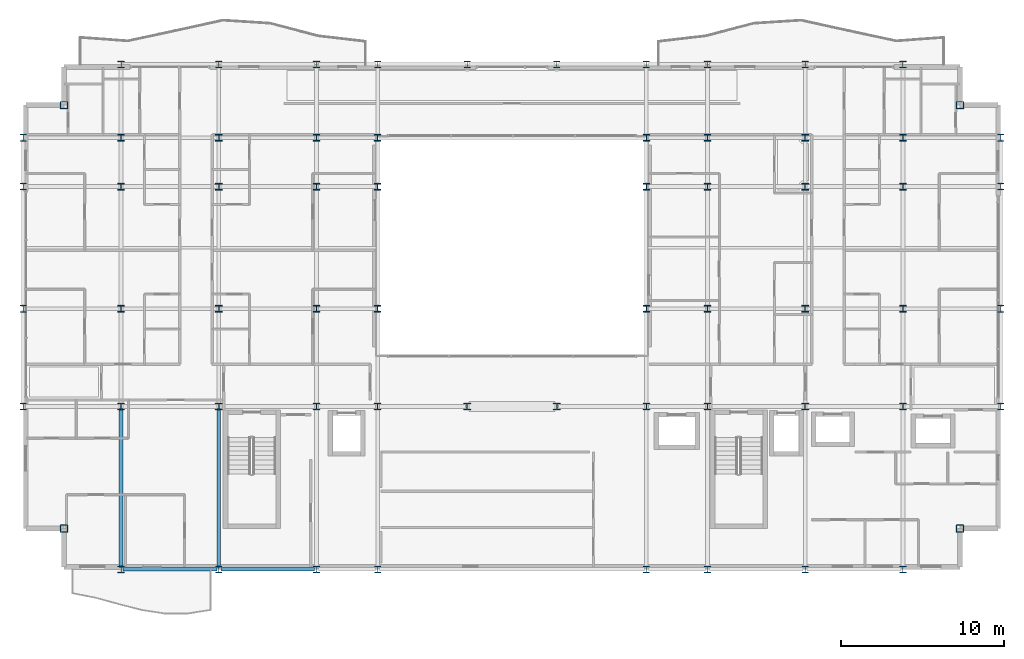
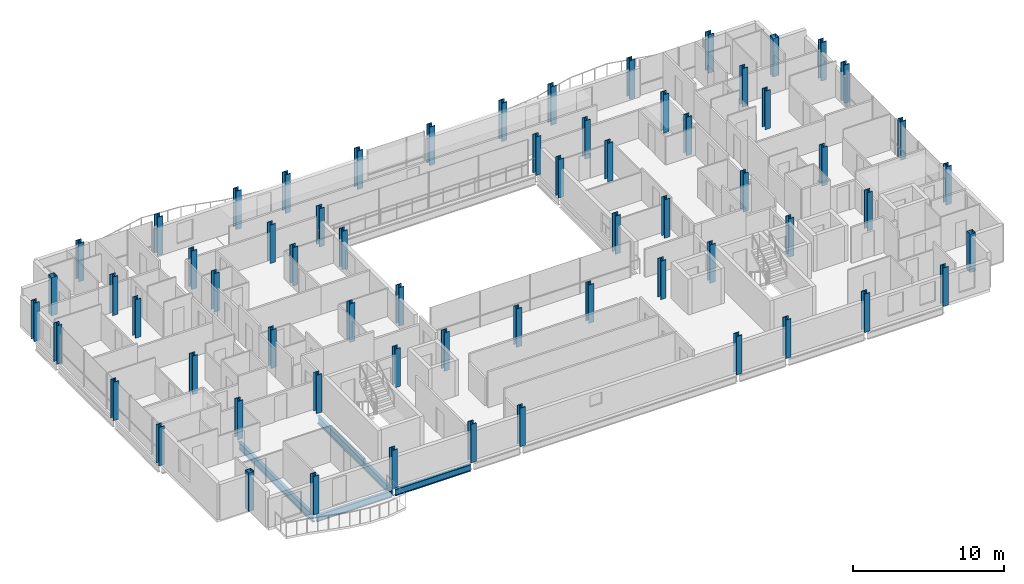
# One storey, part 1 of 41: 64 columns, 4 beams.
"""IFC4 building model written with IfcOpenShell, lengths in metres."""

from ifc_helpers import new_model, si_unit, direction, frame, origin, origin_2d, place, context, subcontext, project, spatial, hollow_rectangle, i_section, extrude, material, material_profile, profile_set, type_object, element, save


model = new_model("IFC4")

# Units and contexts
model_context = context("Model", 3, precision=1e-05, world=origin(), true_north=direction((0.0, 1.0)))
body_context = subcontext(model_context, "Body", "Model", "MODEL_VIEW")
ifc_project = project(units=[si_unit("LENGTHUNIT", "METRE"), si_unit("AREAUNIT", "SQUARE_METRE"), si_unit("VOLUMEUNIT", "CUBIC_METRE"), si_unit("PLANEANGLEUNIT", "RADIAN"), si_unit("MASSUNIT", "GRAM", prefix="KILO")], contexts=[model_context])

# Site, building, storey
site_placement = place(None, origin())
site = spatial("IfcSite", under=ifc_project, at=site_placement, CompositionType="ELEMENT")
building_placement = place(site_placement, origin())
building = spatial("IfcBuilding", under=site, at=building_placement, Name="Brevholm Reach", CompositionType="ELEMENT")
storey_placement = place(building_placement, frame((0.0, 0.0, 112.800048828125)))
storey = spatial("IfcBuildingStorey", under=building, at=storey_placement, Name="L33", CompositionType="ELEMENT", Elevation=112.800048828125)

# Columns
ifc_material_1 = material(Name="Structural Steel S460NH", Category="steel")
ifc_material_profile_1 = material_profile(ifc_material_1, hollow_rectangle(XDim=0.449951171875, YDim=0.449951171875, WallThickness=0.02490234375, InnerFilletRadius=0.011962890625, OuterFilletRadius=0.02392578125, at=origin_2d()), Name="SHS 450x450x25")
ifc_profile_set_1 = profile_set([ifc_material_profile_1], Name="Structural Steel S460NH")
column_type_1 = type_object("IfcColumnType", Name="COL-SHS1", PredefinedType="COLUMN", material=ifc_profile_set_1)
for number, where, z_axis, x_axis, name in (
    (1, (2.5, 2.5, 0.0), (0.0, 0.0, 1.0), (1.0, 0.0, 0.0), "L33 Column 05"),
    (2, (2.5, 28.5, 0.0), (0.0, 0.0, 1.0), (1.0, 0.0, 0.0), "L33 Column 06"),
    (3, (57.5, 2.5, 0.0), (0.0, 0.0, 1.0), (1.0, 0.0, 0.0), "L33 Column 59"),
    (4, (57.5, 28.5, 0.0), (0.0, 0.0, 1.0), (1.0, 0.0, 0.0), "L33 Column 60"),
):
    element("IfcColumn", number, at=place(storey_placement, frame(where, z_axis=z_axis, x_axis=x_axis)), inside=storey, type_object=column_type_1, Name=name, PredefinedType="COLUMN", context=body_context, shape_type="SweptSolid", body=[
        extrude(hollow_rectangle(XDim=0.449951171875, YDim=0.449951171875, WallThickness=0.02490234375, InnerFilletRadius=0.011962890625, OuterFilletRadius=0.02392578125, at=origin_2d()), origin(), (0.0, 0.0, 1.0), 3.099853515625),
    ])
ifc_material_2 = material(Name="Structural Steel S460ML", Category="steel")
ifc_material_profile_2 = material_profile(ifc_material_2, i_section(OverallWidth=0.412109375, OverallDepth=0.4365234375, WebThickness=0.035888671875, FlangeThickness=0.05810546875, FilletRadius=0.01513671875, at=origin_2d()), Name="UKC 356x406x467")
ifc_profile_set_2 = profile_set([ifc_material_profile_2], Name="Structural Steel S460ML")
column_type_2 = type_object("IfcColumnType", Name="COL-UC3", PredefinedType="COLUMN", material=ifc_profile_set_2)
for number, where, z_axis, x_axis, name in (
    (5, (0.0, 10.0, 0.0), (0.0, 0.0, 1.0), (1.0, 0.0, 0.0), "L33 Column 01"),
    (6, (0.0, 16.0, 0.0), (0.0, 0.0, 1.0), (1.0, 0.0, 0.0), "L33 Column 02"),
    (7, (0.0, 23.5, 0.0), (0.0, 0.0, 1.0), (1.0, 0.0, 0.0), "L33 Column 03"),
    (8, (0.0, 26.5, 0.0), (0.0, 0.0, 1.0), (1.0, 0.0, 0.0), "L33 Column 04"),
    (9, (6.0, 0.0, 0.0), (0.0, 0.0, 1.0), (1.0, 0.0, 0.0), "L33 Column 07"),
    (10, (6.0, 31.0, 0.0), (0.0, 0.0, 1.0), (1.0, 0.0, 0.0), "L33 Column 12"),
    (11, (12.0, 0.0, 0.0), (0.0, 0.0, 1.0), (1.0, 0.0, 0.0), "L33 Column 13"),
    (12, (12.0, 31.0, 0.0), (0.0, 0.0, 1.0), (1.0, 0.0, 0.0), "L33 Column 18"),
    (13, (18.0, 0.0, 0.0), (0.0, 0.0, 1.0), (1.0, 0.0, 0.0), "L33 Column 19"),
    (14, (18.0, 31.0, 0.0), (0.0, 0.0, 1.0), (1.0, 0.0, 0.0), "L33 Column 24"),
    (15, (21.75, 0.0, 0.0), (0.0, 0.0, 1.0), (1.0, 0.0, 0.0), "L33 Column 25"),
    (16, (21.75, 31.0, 0.0), (0.0, 0.0, 1.0), (1.0, 0.0, 0.0), "L33 Column 30"),
    (17, (27.25, 31.0, 0.0), (0.0, 0.0, 1.0), (1.0, 0.0, 0.0), "L33 Column 32"),
    (18, (32.75, 31.0, 0.0), (0.0, 0.0, 1.0), (1.0, 0.0, 0.0), "L33 Column 34"),
    (19, (38.25, 0.0, 0.0), (0.0, 0.0, 1.0), (1.0, 0.0, 0.0), "L33 Column 35"),
    (20, (38.25, 31.0, 0.0), (0.0, 0.0, 1.0), (1.0, 0.0, 0.0), "L33 Column 40"),
    (21, (42.0, 0.0, 0.0), (0.0, 0.0, 1.0), (1.0, 0.0, 0.0), "L33 Column 41"),
    (22, (42.0, 31.0, 0.0), (0.0, 0.0, 1.0), (1.0, 0.0, 0.0), "L33 Column 46"),
    (23, (48.0, 0.0, 0.0), (0.0, 0.0, 1.0), (1.0, 0.0, 0.0), "L33 Column 47"),
    (24, (48.0, 31.0, 0.0), (0.0, 0.0, 1.0), (1.0, 0.0, 0.0), "L33 Column 52"),
    (25, (54.0, 0.0, 0.0), (0.0, 0.0, 1.0), (1.0, 0.0, 0.0), "L33 Column 53"),
    (26, (54.0, 31.0, 0.0), (0.0, 0.0, 1.0), (1.0, 0.0, 0.0), "L33 Column 58"),
    (27, (60.0, 10.0, 0.0), (0.0, 0.0, 1.0), (1.0, 0.0, 0.0), "L33 Column 61"),
    (28, (60.0, 16.0, 0.0), (0.0, 0.0, 1.0), (1.0, 0.0, 0.0), "L33 Column 62"),
    (29, (60.0, 23.5, 0.0), (0.0, 0.0, 1.0), (1.0, 0.0, 0.0), "L33 Column 63"),
    (30, (60.0, 26.5, 0.0), (0.0, 0.0, 1.0), (1.0, 0.0, 0.0), "L33 Column 64"),
):
    element("IfcColumn", number, at=place(storey_placement, frame(where, z_axis=z_axis, x_axis=x_axis)), inside=storey, type_object=column_type_2, Name=name, PredefinedType="COLUMN", context=body_context, shape_type="SweptSolid", body=[
        extrude(i_section(OverallWidth=0.412109375, OverallDepth=0.4365234375, WebThickness=0.035888671875, FlangeThickness=0.05810546875, FilletRadius=0.01513671875, at=origin_2d()), origin(), (0.0, 0.0, 1.0), 3.099853515625),
    ])
ifc_material_3 = material(Name="Structural Steel S355J2", Category="steel")
ifc_material_profile_3 = material_profile(ifc_material_3, i_section(OverallWidth=0.406982421875, OverallDepth=0.4189453125, WebThickness=0.030517578125, FlangeThickness=0.04931640625, FilletRadius=0.01513671875, at=origin_2d()), Name="UKC 356x406x393")
ifc_profile_set_3 = profile_set([ifc_material_profile_3], Name="Structural Steel S355J2")
column_type_3 = type_object("IfcColumnType", Name="COL-UC4", PredefinedType="COLUMN", material=ifc_profile_set_3)
for number, where, z_axis, x_axis, name in (
    (31, (6.0, 10.0, 0.0), (0.0, 0.0, 1.0), (1.0, 0.0, 0.0), "L33 Column 08"),
    (32, (6.0, 16.0, 0.0), (0.0, 0.0, 1.0), (1.0, 0.0, 0.0), "L33 Column 09"),
    (33, (6.0, 23.5, 0.0), (0.0, 0.0, 1.0), (1.0, 0.0, 0.0), "L33 Column 10"),
    (34, (6.0, 26.5, 0.0), (0.0, 0.0, 1.0), (1.0, 0.0, 0.0), "L33 Column 11"),
    (35, (12.0, 10.0, 0.0), (0.0, 0.0, 1.0), (1.0, 0.0, 0.0), "L33 Column 14"),
    (36, (12.0, 16.0, 0.0), (0.0, 0.0, 1.0), (1.0, 0.0, 0.0), "L33 Column 15"),
    (37, (12.0, 23.5, 0.0), (0.0, 0.0, 1.0), (1.0, 0.0, 0.0), "L33 Column 16"),
    (38, (12.0, 26.5, 0.0), (0.0, 0.0, 1.0), (1.0, 0.0, 0.0), "L33 Column 17"),
    (39, (18.0, 10.0, 0.0), (0.0, 0.0, 1.0), (1.0, 0.0, 0.0), "L33 Column 20"),
    (40, (18.0, 16.0, 0.0), (0.0, 0.0, 1.0), (1.0, 0.0, 0.0), "L33 Column 21"),
    (41, (18.0, 23.5, 0.0), (0.0, 0.0, 1.0), (1.0, 0.0, 0.0), "L33 Column 22"),
    (42, (18.0, 26.5, 0.0), (0.0, 0.0, 1.0), (1.0, 0.0, 0.0), "L33 Column 23"),
    (43, (21.75, 10.0, 0.0), (0.0, 0.0, 1.0), (1.0, 0.0, 0.0), "L33 Column 26"),
    (44, (21.75, 16.0, 0.0), (0.0, 0.0, 1.0), (1.0, 0.0, 0.0), "L33 Column 27"),
    (45, (21.75, 23.5, 0.0), (0.0, 0.0, 1.0), (1.0, 0.0, 0.0), "L33 Column 28"),
    (46, (21.75, 26.5, 0.0), (0.0, 0.0, 1.0), (1.0, 0.0, 0.0), "L33 Column 29"),
    (47, (27.25, 10.0, 0.0), (0.0, 0.0, 1.0), (1.0, 0.0, 0.0), "L33 Column 31"),
    (48, (32.75, 10.0, 0.0), (0.0, 0.0, 1.0), (1.0, 0.0, 0.0), "L33 Column 33"),
    (49, (38.25, 10.0, 0.0), (0.0, 0.0, 1.0), (1.0, 0.0, 0.0), "L33 Column 36"),
    (50, (38.25, 16.0, 0.0), (0.0, 0.0, 1.0), (1.0, 0.0, 0.0), "L33 Column 37"),
    (51, (38.25, 23.5, 0.0), (0.0, 0.0, 1.0), (1.0, 0.0, 0.0), "L33 Column 38"),
    (52, (38.25, 26.5, 0.0), (0.0, 0.0, 1.0), (1.0, 0.0, 0.0), "L33 Column 39"),
    (53, (42.0, 10.0, 0.0), (0.0, 0.0, 1.0), (1.0, 0.0, 0.0), "L33 Column 42"),
    (54, (42.0, 16.0, 0.0), (0.0, 0.0, 1.0), (1.0, 0.0, 0.0), "L33 Column 43"),
    (55, (42.0, 23.5, 0.0), (0.0, 0.0, 1.0), (1.0, 0.0, 0.0), "L33 Column 44"),
    (56, (42.0, 26.5, 0.0), (0.0, 0.0, 1.0), (1.0, 0.0, 0.0), "L33 Column 45"),
    (57, (48.0, 10.0, 0.0), (0.0, 0.0, 1.0), (1.0, 0.0, 0.0), "L33 Column 48"),
    (58, (48.0, 16.0, 0.0), (0.0, 0.0, 1.0), (1.0, 0.0, 0.0), "L33 Column 49"),
    (59, (48.0, 23.5, 0.0), (0.0, 0.0, 1.0), (1.0, 0.0, 0.0), "L33 Column 50"),
    (60, (48.0, 26.5, 0.0), (0.0, 0.0, 1.0), (1.0, 0.0, 0.0), "L33 Column 51"),
    (61, (54.0, 10.0, 0.0), (0.0, 0.0, 1.0), (1.0, 0.0, 0.0), "L33 Column 54"),
    (62, (54.0, 16.0, 0.0), (0.0, 0.0, 1.0), (1.0, 0.0, 0.0), "L33 Column 55"),
    (63, (54.0, 23.5, 0.0), (0.0, 0.0, 1.0), (1.0, 0.0, 0.0), "L33 Column 56"),
    (64, (54.0, 26.5, 0.0), (0.0, 0.0, 1.0), (1.0, 0.0, 0.0), "L33 Column 57"),
):
    element("IfcColumn", number, at=place(storey_placement, frame(where, z_axis=z_axis, x_axis=x_axis)), inside=storey, type_object=column_type_3, Name=name, PredefinedType="COLUMN", context=body_context, shape_type="SweptSolid", body=[
        extrude(i_section(OverallWidth=0.406982421875, OverallDepth=0.4189453125, WebThickness=0.030517578125, FlangeThickness=0.04931640625, FilletRadius=0.01513671875, at=origin_2d()), origin(), (0.0, 0.0, 1.0), 3.099853515625),
    ])

# Beams
ifc_material_4 = material(Name="Structural Steel S355J2", Category="steel")
ifc_material_profile_4 = material_profile(ifc_material_4, i_section(OverallWidth=0.209228515625, OverallDepth=0.533203125, WebThickness=0.010009765625, FlangeThickness=0.015625, FilletRadius=0.0126953125, at=origin_2d()), Name="UKB 533x210x92")
ifc_profile_set_4 = profile_set([ifc_material_profile_4], Name="Structural Steel S355J2")
beam_type_1 = type_object("IfcBeamType", Name="BM-SP533", PredefinedType="SPANDREL", material=ifc_profile_set_4)
for number, where, z_axis, x_axis, name in (
    (65, (6.1201171875, 0.0, -0.486572265625), (1.0, 0.0, 0.0), (0.0, 1.0, 0.0), "L33 SP-02 Framing Beam"),
    (66, (12.1201171875, 0.0, -0.486572265625), (1.0, 0.0, 0.0), (0.0, 1.0, 0.0), "L33 SP-02 Framing Beam"),
):
    element("IfcBeam", number, at=place(storey_placement, frame(where, z_axis=z_axis, x_axis=x_axis)), inside=storey, type_object=beam_type_1, Name=name, PredefinedType="SPANDREL", context=body_context, shape_type="SweptSolid", body=[
        extrude(i_section(OverallWidth=0.209228515625, OverallDepth=0.533203125, WebThickness=0.010009765625, FlangeThickness=0.015625, FilletRadius=0.0126953125, at=origin_2d()), origin(), (0.0, 0.0, 1.0), 5.759765625),
    ])
ifc_material_5 = material(Name="Structural Steel S355J2", Category="steel")
ifc_material_profile_5 = material_profile(ifc_material_5, i_section(OverallWidth=0.22900390625, OverallDepth=0.6123046875, WebThickness=0.011962890625, FlangeThickness=0.01953125, FilletRadius=0.0126953125, at=origin_2d()), Name="UKB 610x229x125")
ifc_profile_set_5 = profile_set([ifc_material_profile_5], Name="Structural Steel S355J2")
beam_type_2 = type_object("IfcBeamType", Name="BM-SP610", PredefinedType="SPANDREL", material=ifc_profile_set_5)
for number, where, z_axis, x_axis, name in (
    (67, (6.0, 0.1201171875, -0.526123046875), (0.0, 1.0, 0.0), (-1.0, 0.0, 0.0), "L33 SP-01 Framing Beam"),
    (68, (12.0, 0.1201171875, -0.526123046875), (0.0, 1.0, 0.0), (-1.0, 0.0, 0.0), "L33 SP-01 Framing Beam"),
):
    element("IfcBeam", number, at=place(storey_placement, frame(where, z_axis=z_axis, x_axis=x_axis)), inside=storey, type_object=beam_type_2, Name=name, PredefinedType="SPANDREL", context=body_context, shape_type="SweptSolid", body=[
        extrude(i_section(OverallWidth=0.22900390625, OverallDepth=0.6123046875, WebThickness=0.011962890625, FlangeThickness=0.01953125, FilletRadius=0.0126953125, at=origin_2d()), origin(), (0.0, 0.0, 1.0), 9.759765625),
    ])

save(model, "model.ifc")
